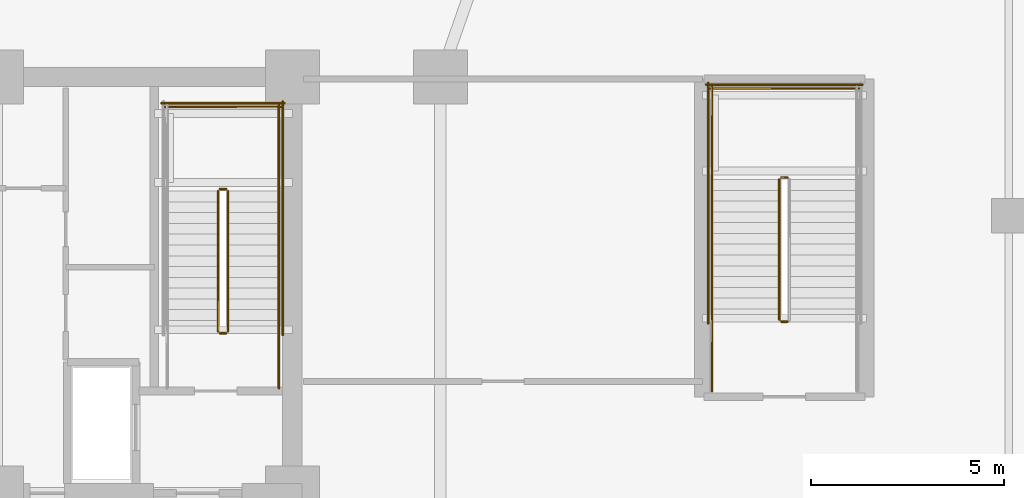
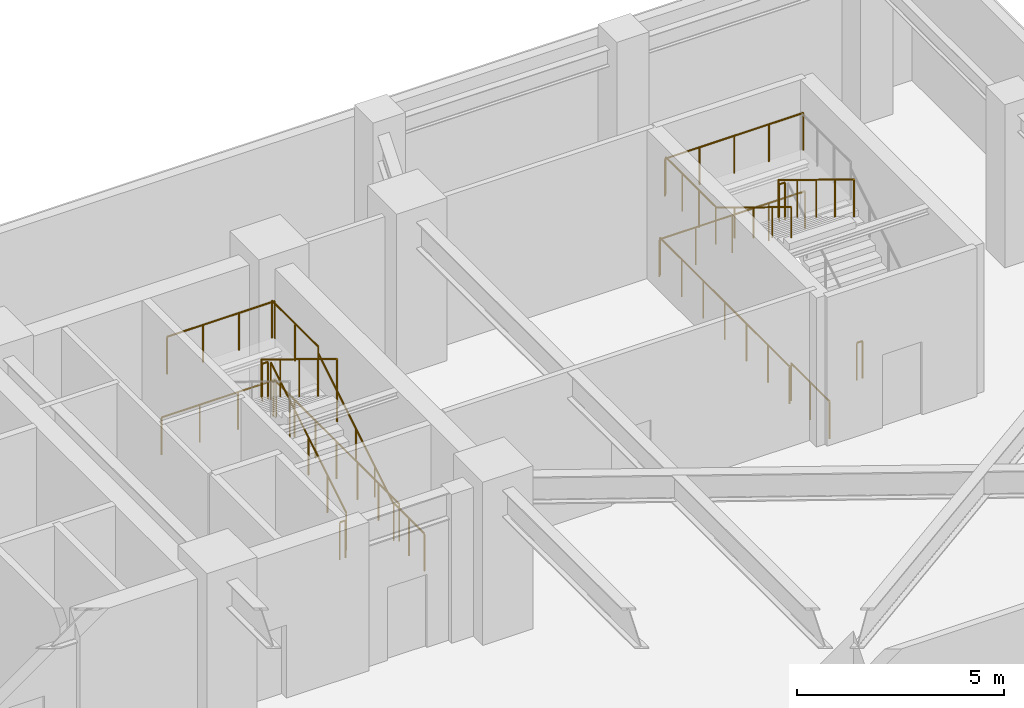
# One storey, part 14 of 15: 19 railings.
"""IFC4 building model written with IfcOpenShell, lengths in metres."""

import ifcopenshell
import ifcopenshell.guid

model = None  # the IFC model being written
_history = None  # IfcOwnerHistory: only IFC2X3 demands one
_inside = {}  # id of a spatial element -> (the spatial element, [elements in it])
_under = {}  # id of a project, library or spatial element -> (it, [spatial elements below it])
_declared = {}  # id of a project -> (the project, [libraries it declares])
_typed = {}  # id of a type object -> (the type object, [elements of that type])
_made_of = {}  # id of a material, layer set ... -> (it, [elements and type objects made of it])


def new_model(schema):
    """Start an empty IFC model of exactly this schema.

    Asked for "IFC4X3", IfcOpenShell would pick the latest addendum, in which some entities
    have other attributes; the version numbers below select the first issue.
    IFC2X3 requires an IfcOwnerHistory on every rooted entity: one is made here for all.
    """
    global model, _history
    if schema == "IFC4X3":
        model = ifcopenshell.file(schema_version=(4, 3, 0, 0))
    else:
        model = ifcopenshell.file(schema=schema)
    _inside.clear()
    _under.clear()
    _declared.clear()
    _typed.clear()
    _made_of.clear()
    _history = None
    if model.schema == "IFC2X3":
        org = make("IfcOrganization", Name="unknown")
        user = make(
            "IfcPersonAndOrganization",
            ThePerson=make("IfcPerson", FamilyName="unknown"),
            TheOrganization=org,
        )
        app = make(
            "IfcApplication",
            ApplicationDeveloper=org,
            Version="unknown",
            ApplicationFullName="unknown",
            ApplicationIdentifier="unknown",
        )
        _history = make(
            "IfcOwnerHistory",
            OwningUser=user,
            OwningApplication=app,
            ChangeAction="ADDED",
            CreationDate=0,
        )
    return model


def make(cls, **values):
    """One entity of the class cls with the attributes given. An attribute that is None is left unset."""
    return model.create_entity(
        cls, **{name: value for name, value in values.items() if value is not None}
    )


def rooted(cls, **values):
    """An entity with a GlobalId (a new one), such as an element, a storey or a relation."""
    return make(cls, GlobalId=ifcopenshell.guid.new(), OwnerHistory=_history, **values)


def si_unit(unit_type, name, prefix=None):
    """IfcSIUnit, for example si_unit("LENGTHUNIT", "METRE", prefix="MILLI")."""
    return make("IfcSIUnit", UnitType=unit_type, Prefix=prefix, Name=name)


def assignment(units):
    """IfcUnitAssignment: the units of a project."""
    return None if units is None else make("IfcUnitAssignment", Units=units)


def point(xyz):
    """IfcCartesianPoint."""
    return None if xyz is None else make("IfcCartesianPoint", Coordinates=xyz)


def direction(xyz):
    """IfcDirection."""
    return None if xyz is None else make("IfcDirection", DirectionRatios=xyz)


def frame(location, z_axis=None, x_axis=None):
    """IfcAxis2Placement3D, a coordinate frame: its origin and axes. An axis left out is left unset."""
    return make(
        "IfcAxis2Placement3D",
        Location=point(location),
        Axis=direction(z_axis),
        RefDirection=direction(x_axis),
    )


def frame_2d(location, x_axis=None):
    """IfcAxis2Placement2D, a coordinate frame in the plane: its origin and x axis."""
    return make(
        "IfcAxis2Placement2D", Location=point(location), RefDirection=direction(x_axis)
    )


def origin():
    """The frame at (0, 0, 0) with its axes left unset."""
    return frame((0.0, 0.0, 0.0))


def origin_2d():
    """The frame at (0, 0) in the plane with its x axis left unset."""
    return frame_2d((0.0, 0.0))


def place(relative_to, where):
    """IfcLocalPlacement: puts the frame where relative to a parent placement (None: the world)."""
    return make(
        "IfcLocalPlacement", PlacementRelTo=relative_to, RelativePlacement=where
    )


def context(
    kind, dimensions, precision=None, world=None, true_north=None, identifier=None
):
    """IfcGeometricRepresentationContext, for example the 3D "Model" context."""
    return make(
        "IfcGeometricRepresentationContext",
        ContextIdentifier=identifier,
        ContextType=kind,
        CoordinateSpaceDimension=dimensions,
        Precision=precision,
        WorldCoordinateSystem=world,
        TrueNorth=true_north,
    )


def subcontext(parent, identifier, kind, view, scale=None):
    """IfcGeometricRepresentationSubContext, for example "Body" below "Model"."""
    return make(
        "IfcGeometricRepresentationSubContext",
        ContextIdentifier=identifier,
        ContextType=kind,
        ParentContext=parent,
        TargetScale=scale,
        TargetView=view,
    )


def project(units=None, contexts=None):
    """IfcProject with its units and contexts."""
    return rooted(
        "IfcProject",
        Name="project",
        RepresentationContexts=contexts,
        UnitsInContext=assignment(units),
    )


def spatial(cls, under=None, at=None, **own):
    """A site, building, storey or space (cls), placed at a placement, below another one or the project."""
    s = rooted(cls, ObjectPlacement=at, **own)
    if under is not None:
        _under.setdefault(under.id(), (under, []))[1].append(s)
    return s


def profile(cls, at=None, kind="AREA", **sizes):
    """A parametric profile (cls). Its sizes go by their IFC names, for example OverallWidth=200.0."""
    return make(cls, ProfileType=kind, Position=at, **sizes)


def circle(**sizes):
    """IfcCircleProfileDef."""
    return profile("IfcCircleProfileDef", **sizes)


def extrude(swept, where, along, depth):
    """IfcExtrudedAreaSolid: the profile swept, set in the frame where, extruded along a direction by depth."""
    return make(
        "IfcExtrudedAreaSolid",
        SweptArea=swept,
        Position=where,
        ExtrudedDirection=direction(along),
        Depth=depth,
    )


def shape(context_of_items, identifier, shape_type, items):
    """IfcShapeRepresentation: the items that make up one representation, for example the "Body"."""
    return make(
        "IfcShapeRepresentation",
        ContextOfItems=context_of_items,
        RepresentationIdentifier=identifier,
        RepresentationType=shape_type,
        Items=items,
    )


def material(Name=None, Category=None):
    """IfcMaterial."""
    return make("IfcMaterial", Name=Name, Category=Category)


def layer(
    of_material, thickness, ventilated=None, Name=None, Category=None, Priority=None
):
    """IfcMaterialLayer: one layer of a wall or slab, of a material (None: an air gap)."""
    return make(
        "IfcMaterialLayer",
        Material=of_material,
        LayerThickness=thickness,
        IsVentilated=ventilated,
        Name=Name,
        Category=Category,
        Priority=Priority,
    )


def layer_set(layers, Name=None):
    """IfcMaterialLayerSet."""
    return make("IfcMaterialLayerSet", MaterialLayers=layers, LayerSetName=Name)


def made_of(thing, what):
    """Note that an element or type object is made of a material, layer set ...; save() writes the relation."""
    if what is not None:
        _made_of.setdefault(what.id(), (what, []))[1].append(thing)
    return thing


def type_object(cls, material=None, **own):
    """A type object (cls), such as IfcWallType, which elements share."""
    return made_of(rooted(cls, **own), material)


def element(
    cls,
    number,
    at=None,
    inside=None,
    cuts=None,
    type_object=None,
    material=None,
    context=None,
    identifier="Body",
    shape_type=None,
    held_by="IfcProductDefinitionShape",
    body=None,
    shapes=None,
    **own,
):
    """One element of the class cls, such as IfcWall. Its Tag is "e" and its number.

    at: its placement. inside: the storey or other place that contains it. cuts: it is an
    opening in that element (IfcRelVoidsElement). A single representation is given by context,
    identifier, shape_type and body (its items); several are given by shapes. held_by: the class
    of the entity that holds the representations. save() writes the other relations.
    """
    e = rooted(cls, Tag="e%d" % number, ObjectPlacement=at, **own)
    if body is not None:
        shapes = [shape(context, identifier, shape_type, body)]
    if shapes is not None:
        e.Representation = make(held_by, Representations=shapes)
    if inside is not None:
        _inside.setdefault(inside.id(), (inside, []))[1].append(e)
    if cuts is not None:
        rooted(
            "IfcRelVoidsElement", RelatingBuildingElement=cuts, RelatedOpeningElement=e
        )
    if type_object is not None:
        _typed.setdefault(type_object.id(), (type_object, []))[1].append(e)
    return made_of(e, material)


def aggregate(whole, parts):
    """IfcRelAggregates: a whole, such as a stair, and the parts it consists of."""
    return rooted("IfcRelAggregates", RelatingObject=whole, RelatedObjects=parts)


def save(model, path):
    """Write the relations noted so far, then the file.

    IfcRelAggregates (storeys below a building ...), IfcRelContainedInSpatialStructure (elements
    in a storey), IfcRelDefinesByType, IfcRelAssociatesMaterial and IfcRelDeclares: one each for
    every whole, place, type object, material and project.
    """
    for whole, parts in _under.values():
        aggregate(whole, parts)
    for where, things in _inside.values():
        rooted(
            "IfcRelContainedInSpatialStructure",
            RelatedElements=things,
            RelatingStructure=where,
        )
    for kind, things in _typed.values():
        rooted("IfcRelDefinesByType", RelatedObjects=things, RelatingType=kind)
    for what, things in _made_of.values():
        rooted("IfcRelAssociatesMaterial", RelatedObjects=things, RelatingMaterial=what)
    for by, libraries in _declared.values():
        rooted("IfcRelDeclares", RelatingContext=by, RelatedDefinitions=libraries)
    model.write(path)


model = new_model("IFC4")

# Units and contexts
model_context = context("Model", 3, precision=1e-05, world=origin(), true_north=direction((0.0, 1.0)))
body_context = subcontext(model_context, "Body", "Model", "MODEL_VIEW")
ifc_project = project(units=[si_unit("LENGTHUNIT", "METRE"), si_unit("AREAUNIT", "SQUARE_METRE"), si_unit("VOLUMEUNIT", "CUBIC_METRE"), si_unit("PLANEANGLEUNIT", "RADIAN"), si_unit("MASSUNIT", "GRAM", prefix="KILO")], contexts=[model_context])

# Site, building, storey
site_placement = place(None, origin())
site = spatial("IfcSite", under=ifc_project, at=site_placement, CompositionType="ELEMENT")
building_placement = place(site_placement, origin())
building = spatial("IfcBuilding", under=site, at=building_placement, Name="Yelkora Congress Tower", CompositionType="ELEMENT")
storey_placement = place(building_placement, frame((0.0, 0.0, 20.39990234375)))
storey = spatial("IfcBuildingStorey", under=building, at=storey_placement, Name="L04", CompositionType="ELEMENT", Elevation=20.39990234375)

# Railings
ifc_material_1 = material(Name="Painted galvanised steel stair well guard with vertical infill", Category="steel")
ifc_layer_1 = layer(ifc_material_1, 0.06005859375)
ifc_layer_set_1 = layer_set([ifc_layer_1], Name="Painted galvanised steel stair well guard with vertical infill")
railing_type_1 = type_object("IfcRailingType", Name="RAIL-STAIR-GUARD-1120", PredefinedType="GUARDRAIL", material=ifc_layer_set_1)
railing_1_placement = place(storey_placement, frame((52.090087890625, 39.60009765625, 0.171630859375)))
element("IfcRailing", 1, at=railing_1_placement, inside=storey, type_object=railing_type_1, Name="ST-02 L04 Stair Well Guardrail 1", PredefinedType="GUARDRAIL", context=body_context, shape_type="SweptSolid", body=[
    extrude(circle(Radius=0.02392578125, at=origin_2d()), frame((0.0, 0.0, 1.09619140625), z_axis=(0.0, 0.852850264322, 0.5221555579), x_axis=(-1.0, 0.0, 0.0)), (0.0, 0.0, 1.0), 4.267822265625),
    extrude(circle(Radius=0.02099609375, at=origin_2d()), origin(), (0.0, 0.0, 1.0), 1.072021484375),
    extrude(circle(Radius=0.02099609375, at=origin_2d()), frame((0.0, 0.909912109375, 0.55712890625)), (0.0, 0.0, 1.0), 1.072021484375),
    extrude(circle(Radius=0.02099609375, at=origin_2d()), frame((0.0, 1.81982421875, 1.1142578125)), (0.0, 0.0, 1.0), 1.072021484375),
    extrude(circle(Radius=0.02099609375, at=origin_2d()), frame((0.0, 2.72998046875, 1.67138671875)), (0.0, 0.0, 1.0), 1.072021484375),
    extrude(circle(Radius=0.02099609375, at=origin_2d()), frame((0.0, 3.639892578125, 2.228515625)), (0.0, 0.0, 1.0), 1.072021484375),
])
railing_2_placement = place(storey_placement, frame((52.0400390625, 43.2900390625, 2.400146484375)))
element("IfcRailing", 2, at=railing_2_placement, inside=storey, type_object=railing_type_1, Name="ST-02 L04 Stair Well Guardrail 2", PredefinedType="GUARDRAIL", context=body_context, shape_type="SweptSolid", body=[
    extrude(circle(Radius=0.02392578125, at=origin_2d()), frame((0.0, 0.0, 1.09619140625), z_axis=(-1.0, 0.0, 0.0), x_axis=(0.0, -1.0, 0.0)), (0.0, 0.0, 1.0), 0.16015625),
    extrude(circle(Radius=0.02099609375, at=origin_2d()), origin(), (0.0, 0.0, 1.0), 1.072021484375),
    extrude(circle(Radius=0.02099609375, at=origin_2d()), frame((-0.16015625, 0.0, 0.0)), (0.0, 0.0, 1.0), 1.072021484375),
])
railing_3_placement = place(storey_placement, frame((53.409912109375, 43.239990234375, 2.400146484375)))
element("IfcRailing", 3, at=railing_3_placement, inside=storey, type_object=railing_type_1, Name="ST-02 L04 Stair Well Guardrail 3", PredefinedType="GUARDRAIL", context=body_context, shape_type="SweptSolid", body=[
    extrude(circle(Radius=0.02392578125, at=origin_2d()), frame((0.0, 0.0, 1.09619140625), z_axis=(0.0, 1.0, 0.0), x_axis=(-1.0, 0.0, 0.0)), (0.0, 0.0, 1.0), 2.22998046875),
    extrude(circle(Radius=0.02099609375, at=origin_2d()), origin(), (0.0, 0.0, 1.0), 1.072021484375),
    extrude(circle(Radius=0.02099609375, at=origin_2d()), frame((0.0, 1.114990234375, 0.0)), (0.0, 0.0, 1.0), 1.072021484375),
    extrude(circle(Radius=0.02099609375, at=origin_2d()), frame((0.0, 2.22998046875, 0.0)), (0.0, 0.0, 1.0), 1.072021484375),
])
railing_4_placement = place(storey_placement, frame((53.4599609375, 45.419921875, 2.400146484375)))
element("IfcRailing", 4, at=railing_4_placement, inside=storey, type_object=railing_type_1, Name="ST-02 L04 Stair Well Guardrail 5", PredefinedType="GUARDRAIL", context=body_context, shape_type="SweptSolid", body=[
    extrude(circle(Radius=0.02392578125, at=origin_2d()), frame((0.0, 0.0, 1.09619140625), z_axis=(-1.0, 0.0, 0.0), x_axis=(0.0, -1.0, 0.0)), (0.0, 0.0, 1.0), 3.0),
    extrude(circle(Radius=0.02099609375, at=origin_2d()), origin(), (0.0, 0.0, 1.0), 1.072021484375),
    extrude(circle(Radius=0.02099609375, at=origin_2d()), frame((-1.0, 0.0, 0.0)), (0.0, 0.0, 1.0), 1.072021484375),
    extrude(circle(Radius=0.02099609375, at=origin_2d()), frame((-2.0, 0.0, 0.0)), (0.0, 0.0, 1.0), 1.072021484375),
    extrude(circle(Radius=0.02099609375, at=origin_2d()), frame((-3.0, 0.0, 0.0)), (0.0, 0.0, 1.0), 1.072021484375),
])
railing_5_placement = place(storey_placement, frame((51.830078125, 43.239990234375, 2.571533203125)))
element("IfcRailing", 5, at=railing_5_placement, inside=storey, type_object=railing_type_1, Name="ST-02 L04 Stair Well Guardrail 6", PredefinedType="GUARDRAIL", context=body_context, shape_type="SweptSolid", body=[
    extrude(circle(Radius=0.02392578125, at=origin_2d()), frame((0.0, 0.0, 1.09619140625), z_axis=(0.0, -0.852850264322, 0.5221555579), x_axis=(1.0, 0.0, 0.0)), (0.0, 0.0, 1.0), 4.267822265625),
    extrude(circle(Radius=0.02099609375, at=origin_2d()), origin(), (0.0, 0.0, 1.0), 1.072021484375),
    extrude(circle(Radius=0.02099609375, at=origin_2d()), frame((0.0, -0.909912109375, 0.55712890625)), (0.0, 0.0, 1.0), 1.072021484375),
    extrude(circle(Radius=0.02099609375, at=origin_2d()), frame((0.0, -1.81982421875, 1.1142578125)), (0.0, 0.0, 1.0), 1.072021484375),
    extrude(circle(Radius=0.02099609375, at=origin_2d()), frame((0.0, -2.72998046875, 1.67138671875)), (0.0, 0.0, 1.0), 1.072021484375),
    extrude(circle(Radius=0.02099609375, at=origin_2d()), frame((0.0, -3.639892578125, 2.228515625)), (0.0, 0.0, 1.0), 1.072021484375),
])
railing_6_placement = place(storey_placement, frame((52.0400390625, 39.550048828125, 0.0)))
element("IfcRailing", 6, at=railing_6_placement, inside=storey, type_object=railing_type_1, Name="ST-02 L04 Stair Well Guardrail 7", PredefinedType="GUARDRAIL", context=body_context, shape_type="SweptSolid", body=[
    extrude(circle(Radius=0.02392578125, at=origin_2d()), frame((0.0, 0.0, 1.09619140625), z_axis=(-1.0, 0.0, 0.0), x_axis=(0.0, -1.0, 0.0)), (0.0, 0.0, 1.0), 0.16015625),
    extrude(circle(Radius=0.02099609375, at=origin_2d()), origin(), (0.0, 0.0, 1.0), 1.072021484375),
    extrude(circle(Radius=0.02099609375, at=origin_2d()), frame((-0.16015625, 0.0, 0.0)), (0.0, 0.0, 1.0), 1.072021484375),
])
railing_7_placement = place(storey_placement, frame((53.409912109375, 38.1201171875, 0.0)))
element("IfcRailing", 7, at=railing_7_placement, inside=storey, type_object=railing_type_1, Name="ST-02 L04 Stair Well Guardrail 8", PredefinedType="GUARDRAIL", context=body_context, shape_type="SweptSolid", body=[
    extrude(circle(Radius=0.02392578125, at=origin_2d()), frame((0.0, 0.0, 1.09619140625), z_axis=(0.0, 1.0, 0.0), x_axis=(-1.0, 0.0, 0.0)), (0.0, 0.0, 1.0), 1.47998046875),
    extrude(circle(Radius=0.02099609375, at=origin_2d()), origin(), (0.0, 0.0, 1.0), 1.072021484375),
    extrude(circle(Radius=0.02099609375, at=origin_2d()), frame((0.0, 0.739990234375, 0.0)), (0.0, 0.0, 1.0), 1.072021484375),
    extrude(circle(Radius=0.02099609375, at=origin_2d()), frame((0.0, 1.47998046875, 0.0)), (0.0, 0.0, 1.0), 1.072021484375),
])
railing_8_placement = place(storey_placement, frame((53.510009765625, 39.5, 0.0)))
element("IfcRailing", 8, at=railing_8_placement, inside=storey, type_object=railing_type_1, Name="ST-02 L04 Stair Well Guardrail 10", PredefinedType="GUARDRAIL", context=body_context, shape_type="SweptSolid", body=[
    extrude(circle(Radius=0.02392578125, at=origin_2d()), frame((0.0, 0.0, 1.09619140625), z_axis=(0.0, 1.0, 0.0), x_axis=(-1.0, 0.0, 0.0)), (0.0, 0.0, 1.0), 6.070068359375),
    extrude(circle(Radius=0.02099609375, at=origin_2d()), origin(), (0.0, 0.0, 1.0), 1.072021484375),
    extrude(circle(Radius=0.02099609375, at=origin_2d()), frame((0.0, 1.01171875, 0.0)), (0.0, 0.0, 1.0), 1.072021484375),
    extrude(circle(Radius=0.02099609375, at=origin_2d()), frame((0.0, 2.0234375, 0.0)), (0.0, 0.0, 1.0), 1.072021484375),
    extrude(circle(Radius=0.02099609375, at=origin_2d()), frame((0.0, 3.03515625, 0.0)), (0.0, 0.0, 1.0), 1.072021484375),
    extrude(circle(Radius=0.02099609375, at=origin_2d()), frame((0.0, 4.046630859375, 0.0)), (0.0, 0.0, 1.0), 1.072021484375),
    extrude(circle(Radius=0.02099609375, at=origin_2d()), frame((0.0, 5.058349609375, 0.0)), (0.0, 0.0, 1.0), 1.072021484375),
    extrude(circle(Radius=0.02099609375, at=origin_2d()), frame((0.0, 6.070068359375, 0.0)), (0.0, 0.0, 1.0), 1.072021484375),
])
railing_9_placement = place(storey_placement, frame((53.56005859375, 45.52001953125, 0.0)))
element("IfcRailing", 9, at=railing_9_placement, inside=storey, type_object=railing_type_1, Name="ST-02 L04 Stair Well Guardrail 12", PredefinedType="GUARDRAIL", context=body_context, shape_type="SweptSolid", body=[
    extrude(circle(Radius=0.02392578125, at=origin_2d()), frame((0.0, 0.0, 1.09619140625), z_axis=(-1.0, 0.0, 0.0), x_axis=(0.0, -1.0, 0.0)), (0.0, 0.0, 1.0), 3.199951171875),
    extrude(circle(Radius=0.02099609375, at=origin_2d()), origin(), (0.0, 0.0, 1.0), 1.072021484375),
    extrude(circle(Radius=0.02099609375, at=origin_2d()), frame((-1.066650390625, 0.0, 0.0)), (0.0, 0.0, 1.0), 1.072021484375),
    extrude(circle(Radius=0.02099609375, at=origin_2d()), frame((-2.13330078125, 0.0, 0.0)), (0.0, 0.0, 1.0), 1.072021484375),
    extrude(circle(Radius=0.02099609375, at=origin_2d()), frame((-3.199951171875, 0.0, 0.0)), (0.0, 0.0, 1.0), 1.072021484375),
])
railing_10_placement = place(storey_placement, frame((66.610107421875, 43.590087890625, 2.400146484375)))
element("IfcRailing", 10, at=railing_10_placement, inside=storey, type_object=railing_type_1, Name="ST-P2 L04 Stair Well Guardrail 2", PredefinedType="GUARDRAIL", context=body_context, shape_type="SweptSolid", body=[
    extrude(circle(Radius=0.02392578125, at=origin_2d()), frame((0.0, 0.0, 1.09619140625), z_axis=(-1.0, 0.0, 0.0), x_axis=(0.0, -1.0, 0.0)), (0.0, 0.0, 1.0), 0.16015625),
    extrude(circle(Radius=0.02099609375, at=origin_2d()), origin(), (0.0, 0.0, 1.0), 1.072021484375),
    extrude(circle(Radius=0.02099609375, at=origin_2d()), frame((-0.16015625, 0.0, 0.0)), (0.0, 0.0, 1.0), 1.072021484375),
])
railing_11_placement = place(storey_placement, frame((64.64990234375, 43.5400390625, 2.400146484375)))
element("IfcRailing", 11, at=railing_11_placement, inside=storey, type_object=railing_type_1, Name="ST-P2 L04 Stair Well Guardrail 4", PredefinedType="GUARDRAIL", context=body_context, shape_type="SweptSolid", body=[
    extrude(circle(Radius=0.02392578125, at=origin_2d()), frame((0.0, 0.0, 1.09619140625), z_axis=(0.0, 1.0, 0.0), x_axis=(-1.0, 0.0, 0.0)), (0.0, 0.0, 1.0), 2.409912109375),
    extrude(circle(Radius=0.02099609375, at=origin_2d()), origin(), (0.0, 0.0, 1.0), 1.072021484375),
    extrude(circle(Radius=0.02099609375, at=origin_2d()), frame((0.0, 0.80322265625, 0.0)), (0.0, 0.0, 1.0), 1.072021484375),
    extrude(circle(Radius=0.02099609375, at=origin_2d()), frame((0.0, 1.606689453125, 0.0)), (0.0, 0.0, 1.0), 1.072021484375),
    extrude(circle(Radius=0.02099609375, at=origin_2d()), frame((0.0, 2.409912109375, 0.0)), (0.0, 0.0, 1.0), 1.072021484375),
])
railing_12_placement = place(storey_placement, frame((68.4599609375, 45.89990234375, 2.400146484375)))
element("IfcRailing", 12, at=railing_12_placement, inside=storey, type_object=railing_type_1, Name="ST-P2 L04 Stair Well Guardrail 5", PredefinedType="GUARDRAIL", context=body_context, shape_type="SweptSolid", body=[
    extrude(circle(Radius=0.02392578125, at=origin_2d()), frame((0.0, 0.0, 1.09619140625), z_axis=(-1.0, 0.0, 0.0), x_axis=(0.0, -1.0, 0.0)), (0.0, 0.0, 1.0), 3.85986328125),
    extrude(circle(Radius=0.02099609375, at=origin_2d()), origin(), (0.0, 0.0, 1.0), 1.072021484375),
    extrude(circle(Radius=0.02099609375, at=origin_2d()), frame((-0.96484375, 0.0, 0.0)), (0.0, 0.0, 1.0), 1.072021484375),
    extrude(circle(Radius=0.02099609375, at=origin_2d()), frame((-1.929931640625, 0.0, 0.0)), (0.0, 0.0, 1.0), 1.072021484375),
    extrude(circle(Radius=0.02099609375, at=origin_2d()), frame((-2.89501953125, 0.0, 0.0)), (0.0, 0.0, 1.0), 1.072021484375),
    extrude(circle(Radius=0.02099609375, at=origin_2d()), frame((-3.85986328125, 0.0, 0.0)), (0.0, 0.0, 1.0), 1.072021484375),
])
railing_13_placement = place(storey_placement, frame((66.39990234375, 43.5400390625, 2.571533203125)))
element("IfcRailing", 13, at=railing_13_placement, inside=storey, type_object=railing_type_1, Name="ST-P2 L04 Stair Well Guardrail 6", PredefinedType="GUARDRAIL", context=body_context, shape_type="SweptSolid", body=[
    extrude(circle(Radius=0.02392578125, at=origin_2d()), frame((0.0, 0.0, 1.09619140625), z_axis=(0.0, -0.852865859571, 0.52213008492), x_axis=(1.0, 0.0, 0.0)), (0.0, 0.0, 1.0), 4.26806640625),
    extrude(circle(Radius=0.02099609375, at=origin_2d()), origin(), (0.0, 0.0, 1.0), 1.072021484375),
    extrude(circle(Radius=0.02099609375, at=origin_2d()), frame((0.0, -0.91015625, 0.55712890625)), (0.0, 0.0, 1.0), 1.072021484375),
    extrude(circle(Radius=0.02099609375, at=origin_2d()), frame((0.0, -1.820068359375, 1.1142578125)), (0.0, 0.0, 1.0), 1.072021484375),
    extrude(circle(Radius=0.02099609375, at=origin_2d()), frame((0.0, -2.72998046875, 1.67138671875)), (0.0, 0.0, 1.0), 1.072021484375),
    extrude(circle(Radius=0.02099609375, at=origin_2d()), frame((0.0, -3.64013671875, 2.228515625)), (0.0, 0.0, 1.0), 1.072021484375),
])
railing_14_placement = place(storey_placement, frame((66.610107421875, 39.85009765625, 0.0)))
element("IfcRailing", 14, at=railing_14_placement, inside=storey, type_object=railing_type_1, Name="ST-P2 L04 Stair Well Guardrail 7", PredefinedType="GUARDRAIL", context=body_context, shape_type="SweptSolid", body=[
    extrude(circle(Radius=0.02392578125, at=origin_2d()), frame((0.0, 0.0, 1.09619140625), z_axis=(-1.0, 0.0, 0.0), x_axis=(0.0, -1.0, 0.0)), (0.0, 0.0, 1.0), 0.16015625),
    extrude(circle(Radius=0.02099609375, at=origin_2d()), origin(), (0.0, 0.0, 1.0), 1.072021484375),
    extrude(circle(Radius=0.02099609375, at=origin_2d()), frame((-0.16015625, 0.0, 0.0)), (0.0, 0.0, 1.0), 1.072021484375),
])
railing_15_placement = place(storey_placement, frame((64.64990234375, 38.050048828125, 0.0)))
element("IfcRailing", 15, at=railing_15_placement, inside=storey, type_object=railing_type_1, Name="ST-P2 L04 Stair Well Guardrail 9", PredefinedType="GUARDRAIL", context=body_context, shape_type="SweptSolid", body=[
    extrude(circle(Radius=0.02392578125, at=origin_2d()), frame((0.0, 0.0, 1.09619140625), z_axis=(0.0, 1.0, 0.0), x_axis=(-1.0, 0.0, 0.0)), (0.0, 0.0, 1.0), 1.849853515625),
    extrude(circle(Radius=0.02099609375, at=origin_2d()), origin(), (0.0, 0.0, 1.0), 1.072021484375),
    extrude(circle(Radius=0.02099609375, at=origin_2d()), frame((0.0, 0.9248046875, 0.0)), (0.0, 0.0, 1.0), 1.072021484375),
    extrude(circle(Radius=0.02099609375, at=origin_2d()), frame((0.0, 1.849853515625, 0.0)), (0.0, 0.0, 1.0), 1.072021484375),
])
railing_16_placement = place(storey_placement, frame((64.550048828125, 39.800048828125, 0.0)))
element("IfcRailing", 16, at=railing_16_placement, inside=storey, type_object=railing_type_1, Name="ST-P2 L04 Stair Well Guardrail 11", PredefinedType="GUARDRAIL", context=body_context, shape_type="SweptSolid", body=[
    extrude(circle(Radius=0.02392578125, at=origin_2d()), frame((0.0, 0.0, 1.09619140625), z_axis=(0.0, 1.0, 0.0), x_axis=(-1.0, 0.0, 0.0)), (0.0, 0.0, 1.0), 6.25),
    extrude(circle(Radius=0.02099609375, at=origin_2d()), origin(), (0.0, 0.0, 1.0), 1.072021484375),
    extrude(circle(Radius=0.02099609375, at=origin_2d()), frame((0.0, 1.041748046875, 0.0)), (0.0, 0.0, 1.0), 1.072021484375),
    extrude(circle(Radius=0.02099609375, at=origin_2d()), frame((0.0, 2.083251953125, 0.0)), (0.0, 0.0, 1.0), 1.072021484375),
    extrude(circle(Radius=0.02099609375, at=origin_2d()), frame((0.0, 3.125, 0.0)), (0.0, 0.0, 1.0), 1.072021484375),
    extrude(circle(Radius=0.02099609375, at=origin_2d()), frame((0.0, 4.166748046875, 0.0)), (0.0, 0.0, 1.0), 1.072021484375),
    extrude(circle(Radius=0.02099609375, at=origin_2d()), frame((0.0, 5.208251953125, 0.0)), (0.0, 0.0, 1.0), 1.072021484375),
    extrude(circle(Radius=0.02099609375, at=origin_2d()), frame((0.0, 6.25, 0.0)), (0.0, 0.0, 1.0), 1.072021484375),
])
railing_17_placement = place(storey_placement, frame((68.56005859375, 46.0, 0.0)))
element("IfcRailing", 17, at=railing_17_placement, inside=storey, type_object=railing_type_1, Name="ST-P2 L04 Stair Well Guardrail 12", PredefinedType="GUARDRAIL", context=body_context, shape_type="SweptSolid", body=[
    extrude(circle(Radius=0.02392578125, at=origin_2d()), frame((0.0, 0.0, 1.09619140625), z_axis=(-1.0, 0.0, 0.0), x_axis=(0.0, -1.0, 0.0)), (0.0, 0.0, 1.0), 4.06005859375),
    extrude(circle(Radius=0.02099609375, at=origin_2d()), origin(), (0.0, 0.0, 1.0), 1.072021484375),
    extrude(circle(Radius=0.02099609375, at=origin_2d()), frame((-1.01513671875, 0.0, 0.0)), (0.0, 0.0, 1.0), 1.072021484375),
    extrude(circle(Radius=0.02099609375, at=origin_2d()), frame((-2.030029296875, 0.0, 0.0)), (0.0, 0.0, 1.0), 1.072021484375),
    extrude(circle(Radius=0.02099609375, at=origin_2d()), frame((-3.044921875, 0.0, 0.0)), (0.0, 0.0, 1.0), 1.072021484375),
    extrude(circle(Radius=0.02099609375, at=origin_2d()), frame((-4.06005859375, 0.0, 0.0)), (0.0, 0.0, 1.0), 1.072021484375),
])
ifc_material_2 = material(Name="Brushed stainless steel tubular handrail", Category="steel")
ifc_layer_2 = layer(ifc_material_2, 0.050048828125)
ifc_layer_set_2 = layer_set([ifc_layer_2], Name="Brushed stainless steel tubular handrail")
railing_type_2 = type_object("IfcRailingType", Name="RAIL-STAIR-HAND-920", PredefinedType="HANDRAIL", material=ifc_layer_set_2)
railing_18_placement = place(storey_placement, frame((53.409912109375, 39.60009765625, 0.171630859375)))
element("IfcRailing", 18, at=railing_18_placement, inside=storey, type_object=railing_type_2, Name="ST-02 L04 Pitch Handrail 1", PredefinedType="HANDRAIL", context=body_context, shape_type="SweptSolid", body=[
    extrude(circle(Radius=0.02392578125, at=origin_2d()), frame((0.0, 0.0, 0.89599609375), z_axis=(0.0, 0.852850264322, 0.5221555579), x_axis=(-1.0, 0.0, 0.0)), (0.0, 0.0, 1.0), 4.267822265625),
    extrude(circle(Radius=0.02099609375, at=origin_2d()), origin(), (0.0, 0.0, 1.0), 0.871826171875),
    extrude(circle(Radius=0.02099609375, at=origin_2d()), frame((0.0, 0.909912109375, 0.55712890625)), (0.0, 0.0, 1.0), 0.871826171875),
    extrude(circle(Radius=0.02099609375, at=origin_2d()), frame((0.0, 1.81982421875, 1.1142578125)), (0.0, 0.0, 1.0), 0.871826171875),
    extrude(circle(Radius=0.02099609375, at=origin_2d()), frame((0.0, 2.72998046875, 1.67138671875)), (0.0, 0.0, 1.0), 0.871826171875),
    extrude(circle(Radius=0.02099609375, at=origin_2d()), frame((0.0, 3.639892578125, 2.228515625)), (0.0, 0.0, 1.0), 0.871826171875),
])
railing_19_placement = place(storey_placement, frame((64.64990234375, 43.5400390625, 2.571533203125)))
element("IfcRailing", 19, at=railing_19_placement, inside=storey, type_object=railing_type_2, Name="ST-P2 L04 Pitch Handrail 2", PredefinedType="HANDRAIL", context=body_context, shape_type="SweptSolid", body=[
    extrude(circle(Radius=0.02392578125, at=origin_2d()), frame((0.0, 0.0, 0.89599609375), z_axis=(0.0, -0.852865859571, 0.52213008492), x_axis=(1.0, 0.0, 0.0)), (0.0, 0.0, 1.0), 4.26806640625),
    extrude(circle(Radius=0.02099609375, at=origin_2d()), origin(), (0.0, 0.0, 1.0), 0.871826171875),
    extrude(circle(Radius=0.02099609375, at=origin_2d()), frame((0.0, -0.91015625, 0.55712890625)), (0.0, 0.0, 1.0), 0.871826171875),
    extrude(circle(Radius=0.02099609375, at=origin_2d()), frame((0.0, -1.820068359375, 1.1142578125)), (0.0, 0.0, 1.0), 0.871826171875),
    extrude(circle(Radius=0.02099609375, at=origin_2d()), frame((0.0, -2.72998046875, 1.67138671875)), (0.0, 0.0, 1.0), 0.871826171875),
    extrude(circle(Radius=0.02099609375, at=origin_2d()), frame((0.0, -3.64013671875, 2.228515625)), (0.0, 0.0, 1.0), 0.871826171875),
])

save(model, "model.ifc")
